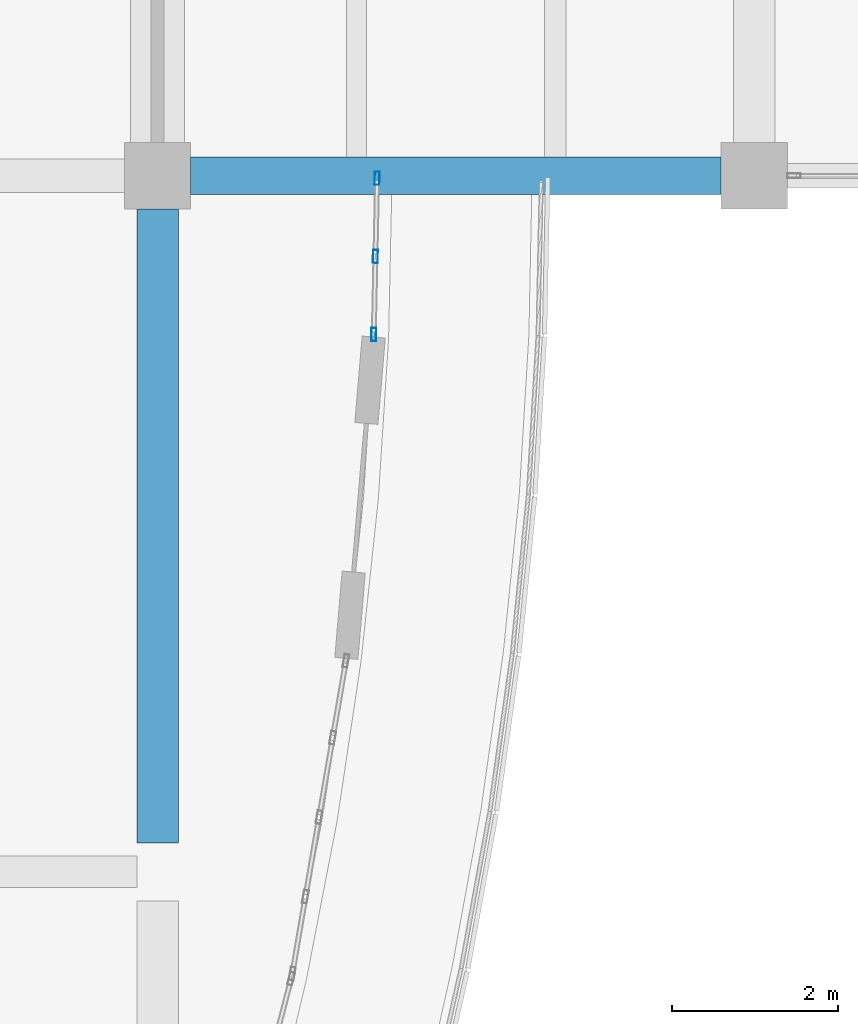
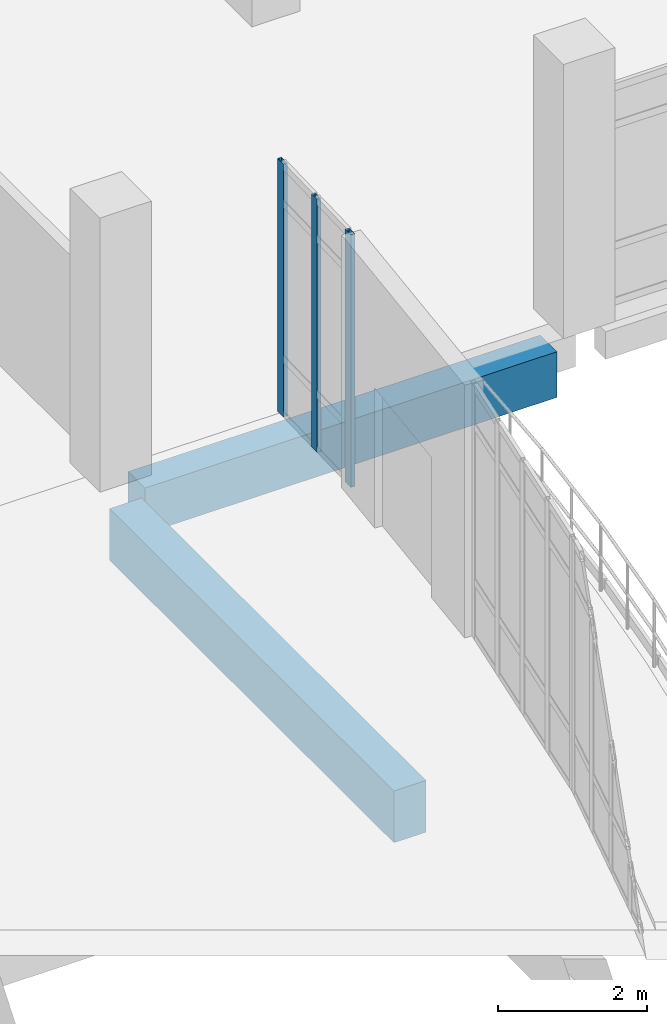
# One storey, part 67 of 116: 3 members, 2 beams, 1 element without a shape of its own.
"""IFC4 building model written with IfcOpenShell, lengths in metres."""

from ifc_helpers import new_model, si_unit, direction, frame, origin, origin_2d, place, context, subcontext, project, spatial, rectangle, hollow_rectangle, extrude, material, material_profile, profile_set, type_object, element, aggregate, save


model = new_model("IFC4")

# Units and contexts
model_context = context("Model", 3, precision=1e-05, world=origin(), true_north=direction((0.0, 1.0)))
body_context = subcontext(model_context, "Body", "Model", "MODEL_VIEW")
ifc_project = project(units=[si_unit("LENGTHUNIT", "METRE"), si_unit("AREAUNIT", "SQUARE_METRE"), si_unit("VOLUMEUNIT", "CUBIC_METRE"), si_unit("PLANEANGLEUNIT", "RADIAN"), si_unit("MASSUNIT", "GRAM", prefix="KILO")], contexts=[model_context])

# Site, building, storey
site_placement = place(None, origin())
site = spatial("IfcSite", under=ifc_project, at=site_placement, CompositionType="ELEMENT")
building_placement = place(site_placement, origin())
building = spatial("IfcBuilding", under=site, at=building_placement, Name="Kalluvel Institute of Natural Sciences", CompositionType="ELEMENT")
storey_placement = place(building_placement, frame((0.0, 0.0, 14.39990234375)))
storey = spatial("IfcBuildingStorey", under=building, at=storey_placement, Name="L03", CompositionType="ELEMENT", Elevation=14.39990234375)

# Beams
ifc_material_1 = material(Name="Concrete M40", Category="concrete")
ifc_material_profile_1 = material_profile(ifc_material_1, rectangle(XDim=0.449951171875, YDim=0.75, at=origin_2d()), Name="RCB 450x750")
ifc_profile_set_1 = profile_set([ifc_material_profile_1], Name="Concrete M40")
beam_type_1 = type_object("IfcBeamType", Name="BM-RC450x750", PredefinedType="BEAM", material=ifc_profile_set_1)
beam_1_placement = place(storey_placement, frame((79.199951171875, 102.800048828125, -0.69482421875), z_axis=(1.0, 0.0, 0.0), x_axis=(0.0, 1.0, 0.0)))
element("IfcBeam", 1, at=beam_1_placement, inside=storey, type_object=beam_type_1, Name="L03 girder GIR-L03-EW-X788-Y1028", PredefinedType="BEAM", context=body_context, shape_type="SweptSolid", body=[
    extrude(rectangle(XDim=0.449951171875, YDim=0.75, at=origin_2d()), origin(), (0.0, 0.0, 1.0), 6.400146484375),
])
ifc_material_2 = material(Name="Concrete M50", Category="concrete")
ifc_material_profile_2 = material_profile(ifc_material_2, rectangle(XDim=0.5, YDim=0.85009765625, at=origin_2d()), Name="RCB 500x850")
ifc_profile_set_2 = profile_set([ifc_material_profile_2], Name="Concrete M50")
beam_type_2 = type_object("IfcBeamType", Name="BM-RC500x850", PredefinedType="BEAM", material=ifc_profile_set_2)
beam_2_placement = place(storey_placement, frame((78.800048828125, 94.75, -0.744873046875), z_axis=(0.0, 1.0, 0.0), x_axis=(-1.0, 0.0, 0.0)))
element("IfcBeam", 2, at=beam_2_placement, inside=storey, type_object=beam_type_2, Name="L03 girder GIR-L03-NS-X788-Y944", PredefinedType="BEAM", context=body_context, shape_type="SweptSolid", body=[
    extrude(rectangle(XDim=0.5, YDim=0.85009765625, at=origin_2d()), origin(), (0.0, 0.0, 1.0), 7.64990234375),
])

# Curtain wall, members
ifc_material_3 = material(Name="Aluminium AW-6063 T6", Category="aluminium")
curtain_wall_type = type_object("IfcCurtainWallType", Name="CW-ATR-ARC", PredefinedType="USERDEFINED", material=ifc_material_3)
curtain_wall_placement = place(storey_placement, origin())
curtain_wall = element("IfcCurtainWall", 3, at=curtain_wall_placement, inside=storey, type_object=curtain_wall_type, Name="L03 Gothic lancet curtain wall CWA-L03-X814-Y1009", ObjectType="UNITISED LANCET FACADE", PredefinedType="USERDEFINED")
ifc_material_profile_3 = material_profile(ifc_material_3, hollow_rectangle(XDim=0.06005859375, YDim=0.159912109375, WallThickness=0.00390625, at=origin_2d()), Name="CWM 60x160")
ifc_profile_set_3 = profile_set([ifc_material_profile_3], Name="Aluminium AW-6063 T6")
member_type = type_object("IfcMemberType", Name="CWM-60x160", PredefinedType="MULLION", material=ifc_profile_set_3)
member_1_placement = place(storey_placement, frame((81.409423828125, 100.884033203125, 0.0), z_axis=(0.0, 0.0, 1.0), x_axis=(-0.999774844595, 0.021219333514, 0.0)))
member_1 = element("IfcMember", 4, at=member_1_placement, type_object=member_type, Name="CW-05 mullion 1", PredefinedType="MULLION", context=body_context, shape_type="SweptSolid", body=[
    extrude(hollow_rectangle(XDim=0.06005859375, YDim=0.159912109375, WallThickness=0.00390625, at=origin_2d()), origin(), (0.0, 0.0, 1.0), 4.150146484375),
])
member_2_placement = place(storey_placement, frame((81.429443359375, 101.8271484375, 0.0), z_axis=(0.0, 0.0, 1.0), x_axis=(-0.999774844595, 0.021219333514, 0.0)))
member_2 = element("IfcMember", 5, at=member_2_placement, type_object=member_type, Name="CW-05 mullion 2", PredefinedType="MULLION", context=body_context, shape_type="SweptSolid", body=[
    extrude(hollow_rectangle(XDim=0.06005859375, YDim=0.159912109375, WallThickness=0.00390625, at=origin_2d()), origin(), (0.0, 0.0, 1.0), 4.150146484375),
])
member_3_placement = place(storey_placement, frame((81.449462890625, 102.77001953125, 0.0), z_axis=(0.0, 0.0, 1.0), x_axis=(-0.999774844595, 0.021219333514, 0.0)))
member_3 = element("IfcMember", 6, at=member_3_placement, type_object=member_type, Name="CW-05 mullion 3", PredefinedType="MULLION", context=body_context, shape_type="SweptSolid", body=[
    extrude(hollow_rectangle(XDim=0.06005859375, YDim=0.159912109375, WallThickness=0.00390625, at=origin_2d()), origin(), (0.0, 0.0, 1.0), 4.150146484375),
])
aggregate(curtain_wall, [member_1, member_2, member_3])

save(model, "model.ifc")
